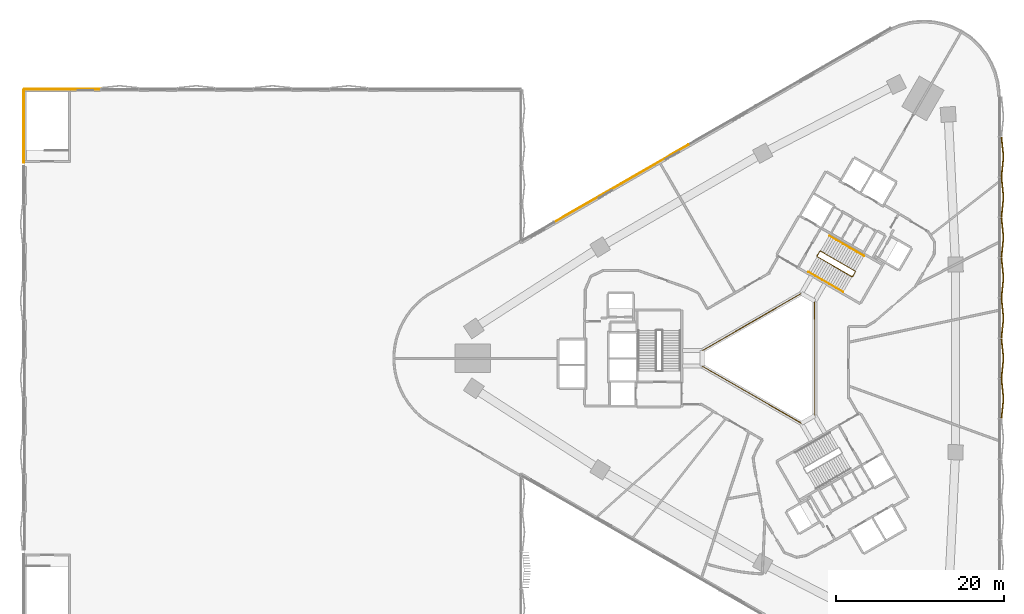
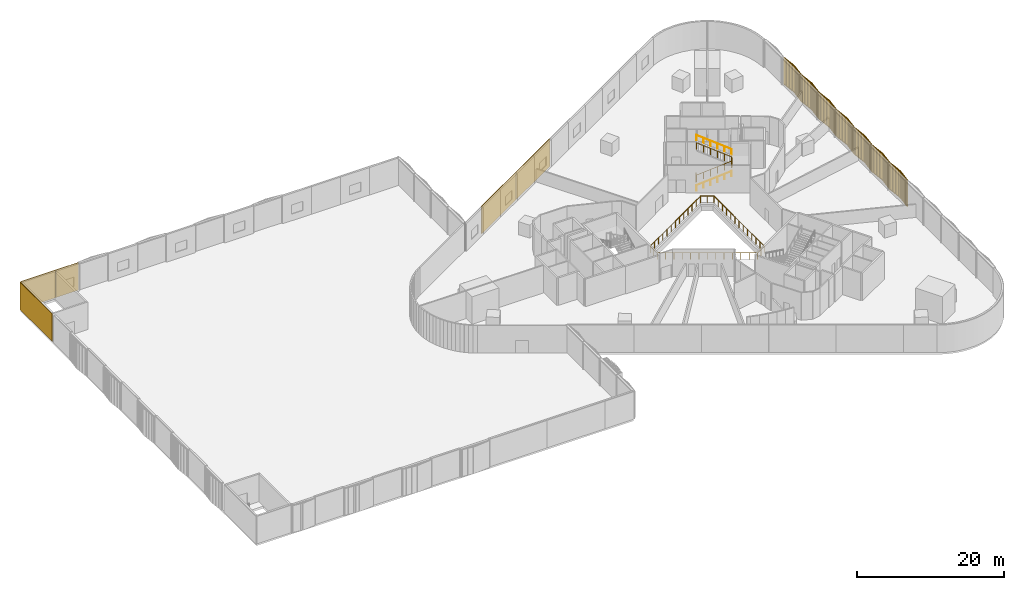
# One storey, part 22 of 24: 12 coverings, 4 railings.
"""IFC4 building model written with IfcOpenShell, lengths in metres."""

from ifc_helpers import new_model, si_unit, direction, frame, frame_2d, origin, origin_2d, place, context, subcontext, project, spatial, rectangle, circle, extrude, source, transform, mapped, material, layer, layer_set, type_object, element, save


model = new_model("IFC4")

# Units and contexts
model_context = context("Model", 3, precision=1e-05, world=origin(), true_north=direction((0.0, 1.0)))
body_context = subcontext(model_context, "Body", "Model", "MODEL_VIEW")
ifc_project = project(units=[si_unit("LENGTHUNIT", "METRE"), si_unit("AREAUNIT", "SQUARE_METRE"), si_unit("VOLUMEUNIT", "CUBIC_METRE"), si_unit("PLANEANGLEUNIT", "RADIAN"), si_unit("MASSUNIT", "GRAM", prefix="KILO")], contexts=[model_context])

# Site, building, storey
site_placement = place(None, origin())
site = spatial("IfcSite", under=ifc_project, at=site_placement, CompositionType="ELEMENT")
building_placement = place(site_placement, origin())
building = spatial("IfcBuilding", under=site, at=building_placement, Name="Tamra Quay Hotel Tower", CompositionType="ELEMENT")
storey_placement = place(building_placement, frame((0.0, 0.0, 19.5)))
storey = spatial("IfcBuildingStorey", under=building, at=storey_placement, Name="L03", CompositionType="ELEMENT", Elevation=19.5)

# Railing
ifc_material_1 = material(Name="Guard atrium edge 1100")
railing_type_1 = type_object("IfcRailingType", Name="Guard atrium edge 1100", PredefinedType="GUARDRAIL", material=ifc_material_1)
railing_1_placement = place(storey_placement, frame((3.409912109375, 7.73095703125, 0.0)))
element("IfcRailing", 1, at=railing_1_placement, inside=storey, type_object=railing_type_1, Name="G-A", PredefinedType="GUARDRAIL", context=body_context, shape_type="SweptSolid", body=[
    extrude(circle(Radius=0.02392578125, at=origin_2d()), frame((0.0, 0.0, 1.076171875), z_axis=(0.864522091971, -0.502594819406, 0.0), x_axis=(0.502594819406, 0.864522091971, 0.0)), (0.0, 0.0, 1.0), 1.820556640625),
    extrude(circle(Radius=0.02392578125, at=origin_2d()), frame((1.573974609375, -0.9150390625, 1.076171875), z_axis=(0.000967828205, -0.999999531654, 0.0), x_axis=(0.999999531654, 0.000967828205, 0.0)), (0.0, 0.0, 1.0), 13.621826171875),
    extrude(circle(Radius=0.02392578125, at=origin_2d()), frame((1.587158203125, -14.536865234375, 1.076171875), z_axis=(-0.865052007415, -0.501682194688, 0.0), x_axis=(0.501682194688, -0.865052007415, 0.0)), (0.0, 0.0, 1.0), 1.832275390625),
    extrude(circle(Radius=0.02392578125, at=origin_2d()), frame((0.002197265625, -15.4560546875, 1.076171875), z_axis=(-0.866473474501, 0.499223114434, 0.0), x_axis=(-0.499223114434, -0.866473474501, 0.0)), (0.0, 0.0, 1.0), 13.617431640625),
    extrude(circle(Radius=0.02392578125, at=origin_2d()), frame((-11.796875, -8.657958984375, 1.076171875), z_axis=(-0.005428226658, 0.999985267069, 0.0), x_axis=(-0.999985267069, -0.005428226658, 0.0)), (0.0, 0.0, 1.0), 1.843994140625),
    extrude(circle(Radius=0.02392578125, at=origin_2d()), frame((-11.806884765625, -6.81396484375, 1.076171875), z_axis=(0.86589546234, 0.500224997676, 0.0), x_axis=(-0.500224997676, 0.86589546234, 0.0)), (0.0, 0.0, 1.0), 13.610107421875),
    extrude(circle(Radius=0.02392578125, at=origin_2d()), frame((-0.02197265625, -0.005859375, 1.076171875), z_axis=(0.966234939601, 0.25766265056, 0.0), x_axis=(-0.25766265056, 0.966234939601, 0.0)), (0.0, 0.0, 1.0), 0.022705078125),
    extrude(circle(Radius=0.02099609375, at=origin_2d()), origin(), (0.0, 0.0, 1.0), 1.052001953125),
    extrude(circle(Radius=0.02099609375, at=origin_2d()), frame((0.787109375, -0.45751953125, 0.0)), (0.0, 0.0, 1.0), 1.052001953125),
    extrude(circle(Radius=0.02099609375, at=origin_2d()), frame((1.573974609375, -0.9150390625, 0.0)), (0.0, 0.0, 1.0), 1.052001953125),
    extrude(circle(Radius=0.02099609375, at=origin_2d()), frame((1.5751953125, -2.05029296875, 0.0)), (0.0, 0.0, 1.0), 1.052001953125),
    extrude(circle(Radius=0.02099609375, at=origin_2d()), frame((1.576171875, -3.185302734375, 0.0)), (0.0, 0.0, 1.0), 1.052001953125),
    extrude(circle(Radius=0.02099609375, at=origin_2d()), frame((1.5771484375, -4.320556640625, 0.0)), (0.0, 0.0, 1.0), 1.052001953125),
    extrude(circle(Radius=0.02099609375, at=origin_2d()), frame((1.578369140625, -5.45556640625, 0.0)), (0.0, 0.0, 1.0), 1.052001953125),
    extrude(circle(Radius=0.02099609375, at=origin_2d()), frame((1.57958984375, -6.5908203125, 0.0)), (0.0, 0.0, 1.0), 1.052001953125),
    extrude(circle(Radius=0.02099609375, at=origin_2d()), frame((1.58056640625, -7.72607421875, 0.0)), (0.0, 0.0, 1.0), 1.052001953125),
    extrude(circle(Radius=0.02099609375, at=origin_2d()), frame((1.58154296875, -8.861083984375, 0.0)), (0.0, 0.0, 1.0), 1.052001953125),
    extrude(circle(Radius=0.02099609375, at=origin_2d()), frame((1.582763671875, -9.996337890625, 0.0)), (0.0, 0.0, 1.0), 1.052001953125),
    extrude(circle(Radius=0.02099609375, at=origin_2d()), frame((1.583984375, -11.13134765625, 0.0)), (0.0, 0.0, 1.0), 1.052001953125),
    extrude(circle(Radius=0.02099609375, at=origin_2d()), frame((1.5849609375, -12.2666015625, 0.0)), (0.0, 0.0, 1.0), 1.052001953125),
    extrude(circle(Radius=0.02099609375, at=origin_2d()), frame((1.5859375, -13.401611328125, 0.0)), (0.0, 0.0, 1.0), 1.052001953125),
    extrude(circle(Radius=0.02099609375, at=origin_2d()), frame((1.587158203125, -14.536865234375, 0.0)), (0.0, 0.0, 1.0), 1.052001953125),
    extrude(circle(Radius=0.02099609375, at=origin_2d()), frame((0.794677734375, -14.99658203125, 0.0)), (0.0, 0.0, 1.0), 1.052001953125),
    extrude(circle(Radius=0.02099609375, at=origin_2d()), frame((0.002197265625, -15.4560546875, 0.0)), (0.0, 0.0, 1.0), 1.052001953125),
    extrude(circle(Radius=0.02099609375, at=origin_2d()), frame((-0.98095703125, -14.8896484375, 0.0)), (0.0, 0.0, 1.0), 1.052001953125),
    extrude(circle(Radius=0.02099609375, at=origin_2d()), frame((-1.96435546875, -14.322998046875, 0.0)), (0.0, 0.0, 1.0), 1.052001953125),
    extrude(circle(Radius=0.02099609375, at=origin_2d()), frame((-2.947509765625, -13.756591796875, 0.0)), (0.0, 0.0, 1.0), 1.052001953125),
    extrude(circle(Radius=0.02099609375, at=origin_2d()), frame((-3.930908203125, -13.18994140625, 0.0)), (0.0, 0.0, 1.0), 1.052001953125),
    extrude(circle(Radius=0.02099609375, at=origin_2d()), frame((-4.9140625, -12.62353515625, 0.0)), (0.0, 0.0, 1.0), 1.052001953125),
    extrude(circle(Radius=0.02099609375, at=origin_2d()), frame((-5.8974609375, -12.05712890625, 0.0)), (0.0, 0.0, 1.0), 1.052001953125),
    extrude(circle(Radius=0.02099609375, at=origin_2d()), frame((-6.880615234375, -11.490478515625, 0.0)), (0.0, 0.0, 1.0), 1.052001953125),
    extrude(circle(Radius=0.02099609375, at=origin_2d()), frame((-7.86376953125, -10.924072265625, 0.0)), (0.0, 0.0, 1.0), 1.052001953125),
    extrude(circle(Radius=0.02099609375, at=origin_2d()), frame((-8.84716796875, -10.357421875, 0.0)), (0.0, 0.0, 1.0), 1.052001953125),
    extrude(circle(Radius=0.02099609375, at=origin_2d()), frame((-9.830322265625, -9.791015625, 0.0)), (0.0, 0.0, 1.0), 1.052001953125),
    extrude(circle(Radius=0.02099609375, at=origin_2d()), frame((-10.813720703125, -9.224365234375, 0.0)), (0.0, 0.0, 1.0), 1.052001953125),
    extrude(circle(Radius=0.02099609375, at=origin_2d()), frame((-11.796875, -8.657958984375, 0.0)), (0.0, 0.0, 1.0), 1.052001953125),
    extrude(circle(Radius=0.02099609375, at=origin_2d()), frame((-11.8017578125, -7.73583984375, 0.0)), (0.0, 0.0, 1.0), 1.052001953125),
    extrude(circle(Radius=0.02099609375, at=origin_2d()), frame((-11.806884765625, -6.81396484375, 0.0)), (0.0, 0.0, 1.0), 1.052001953125),
    extrude(circle(Radius=0.02099609375, at=origin_2d()), frame((-10.82470703125, -6.24658203125, 0.0)), (0.0, 0.0, 1.0), 1.052001953125),
    extrude(circle(Radius=0.02099609375, at=origin_2d()), frame((-9.8427734375, -5.67919921875, 0.0)), (0.0, 0.0, 1.0), 1.052001953125),
    extrude(circle(Radius=0.02099609375, at=origin_2d()), frame((-8.860595703125, -5.11181640625, 0.0)), (0.0, 0.0, 1.0), 1.052001953125),
    extrude(circle(Radius=0.02099609375, at=origin_2d()), frame((-7.878662109375, -4.544677734375, 0.0)), (0.0, 0.0, 1.0), 1.052001953125),
    extrude(circle(Radius=0.02099609375, at=origin_2d()), frame((-6.896484375, -3.977294921875, 0.0)), (0.0, 0.0, 1.0), 1.052001953125),
    extrude(circle(Radius=0.02099609375, at=origin_2d()), frame((-5.91455078125, -3.409912109375, 0.0)), (0.0, 0.0, 1.0), 1.052001953125),
    extrude(circle(Radius=0.02099609375, at=origin_2d()), frame((-4.932373046875, -2.842529296875, 0.0)), (0.0, 0.0, 1.0), 1.052001953125),
    extrude(circle(Radius=0.02099609375, at=origin_2d()), frame((-3.9501953125, -2.275146484375, 0.0)), (0.0, 0.0, 1.0), 1.052001953125),
    extrude(circle(Radius=0.02099609375, at=origin_2d()), frame((-2.96826171875, -1.7080078125, 0.0)), (0.0, 0.0, 1.0), 1.052001953125),
    extrude(circle(Radius=0.02099609375, at=origin_2d()), frame((-1.986083984375, -1.140625, 0.0)), (0.0, 0.0, 1.0), 1.052001953125),
    extrude(circle(Radius=0.02099609375, at=origin_2d()), frame((-1.004150390625, -0.5732421875, 0.0)), (0.0, 0.0, 1.0), 1.052001953125),
    extrude(circle(Radius=0.02099609375, at=origin_2d()), frame((-0.02197265625, -0.005859375, 0.0)), (0.0, 0.0, 1.0), 1.052001953125),
])

# Coverings
ifc_material_2 = material(Name="Precast concrete M60 terracotta-coloured pierced relief", Category="masonry")
ifc_layer = layer(ifc_material_2, 0.10009765625)
ifc_layer_set = layer_set([ifc_layer], Name="PIERCED RELIEF PANEL 100")
covering_type_1 = type_object("IfcCoveringType", Name="PIERCED RELIEF PANEL 100", PredefinedType="CLADDING", material=ifc_layer_set)
for number, where, z_axis, x_axis, name in (
    (2, (-14.017822265625, 23.13330078125, 0.0), (0.0, 0.0, 1.0), (-0.866214936261, -0.499671576337, 0.0), "Relief panel L03.NW.06"),
    (3, (-22.021484375, 18.5166015625, 0.0), (0.0, 0.0, 1.0), (-0.866214936261, -0.499671576337, 0.0), "Relief panel L03.NW.08"),
):
    element("IfcCovering", number, at=place(storey_placement, frame(where, z_axis=z_axis, x_axis=x_axis)), inside=storey, type_object=covering_type_1, Name=name, PredefinedType="CLADDING", context=body_context, shape_type="SweptSolid", body=[
        extrude(rectangle(XDim=9.2197265625, YDim=0.10009765625, at=origin_2d()), origin(), (0.0, 0.0, 1.0), 4.550048828125),
    ])
covering_1_placement = place(storey_placement, frame((-81.803955078125, 32.050048828125, 0.0), z_axis=(0.0, 0.0, 1.0), x_axis=(-1.0, 0.0, 0.0)))
element("IfcCovering", 4, at=covering_1_placement, inside=storey, type_object=covering_type_1, Name="Relief panel L03.NW.22", PredefinedType="CLADDING", context=body_context, shape_type="SweptSolid", body=[
    extrude(rectangle(XDim=3.572265625, YDim=0.10009765625, at=origin_2d()), origin(), (0.0, 0.0, 1.0), 4.550048828125),
])
covering_2_placement = place(storey_placement, frame((-86.35009765625, 32.050048828125, 0.0), z_axis=(0.0, 0.0, 1.0), x_axis=(-1.0, 0.0, 0.0)))
element("IfcCovering", 5, at=covering_2_placement, inside=storey, type_object=covering_type_1, Name="Relief panel L03.PS1.1", PredefinedType="CLADDING", context=body_context, shape_type="SweptSolid", body=[
    extrude(rectangle(XDim=5.47998046875, YDim=0.10009765625, at=origin_2d()), origin(), (0.0, 0.0, 1.0), 4.550048828125),
])
covering_3_placement = place(storey_placement, frame((-89.14990234375, 27.64990234375, 0.0), z_axis=(0.0, 0.0, 1.0), x_axis=(0.0, -1.0, 0.0)))
element("IfcCovering", 6, at=covering_3_placement, inside=storey, type_object=covering_type_1, Name="Relief panel L03.PS1.2", PredefinedType="CLADDING", context=body_context, shape_type="SweptSolid", body=[
    extrude(rectangle(XDim=8.679931640625, YDim=0.10009765625, at=origin_2d()), origin(), (0.0, 0.0, 1.0), 4.550048828125),
])

# Railings
ifc_material_3 = material(Name="Stair guard 1100")
railing_type_2 = type_object("IfcRailingType", Name="Stair guard 1100", PredefinedType="GUARDRAIL", material=ifc_material_3)
railing_2_placement = place(storey_placement, frame((5.595458984375, 12.751953125, 0.0)))
element("IfcRailing", 7, at=railing_2_placement, inside=storey, type_object=railing_type_2, Name="GR", PredefinedType="GUARDRAIL", context=body_context, shape_type="SweptSolid", body=[
    extrude(circle(Radius=0.02392578125, at=origin_2d()), frame((0.0, 0.0, 1.076171875), z_axis=(-0.499765215335, -0.866160914346, 0.0), x_axis=(0.866160914346, -0.499765215335, 0.0)), (0.0, 0.0, 1.0), 0.658935546875),
    extrude(circle(Radius=0.02392578125, at=origin_2d()), frame((-0.329345703125, -0.57080078125, 1.076171875), z_axis=(0.112320010996, -0.417830440903, 0.901555288257), x_axis=(0.965715946433, 0.259601060869, 0.0)), (0.0, 0.0, 1.0), 0.1630859375),
    extrude(circle(Radius=0.02392578125, at=origin_2d()), frame((-0.31103515625, -0.638916015625, 1.22314453125), z_axis=(0.777106586887, -0.448679454232, 0.441352580107), x_axis=(0.500014005679, 0.866017317451, 0.0)), (0.0, 0.0, 1.0), 5.331298828125),
    extrude(circle(Radius=0.02392578125, at=origin_2d()), frame((3.83203125, -3.031005859375, 3.576171875), z_axis=(0.965715946433, 0.259601060869, 0.0), x_axis=(-0.259601060869, 0.965715946433, 0.0)), (0.0, 0.0, 1.0), 0.070556640625),
    extrude(circle(Radius=0.02392578125, at=origin_2d()), frame((3.900146484375, -3.0126953125, 3.576171875), z_axis=(0.500043078269, 0.866000531106, 0.0), x_axis=(-0.866000531106, 0.500043078269, 0.0)), (0.0, 0.0, 1.0), 0.6591796875),
    extrude(circle(Radius=0.02392578125, at=origin_2d()), frame((4.229736328125, -2.44189453125, 3.576171875), z_axis=(-0.112320010996, 0.417830440903, 0.901555288257), x_axis=(-0.965715946433, -0.259601060869, 0.0)), (0.0, 0.0, 1.0), 0.1630859375),
    extrude(circle(Radius=0.02392578125, at=origin_2d()), frame((4.21142578125, -2.373779296875, 3.72314453125), z_axis=(-0.777106586887, 0.448679454232, 0.441352580107), x_axis=(-0.500014005679, -0.866017317451, 0.0)), (0.0, 0.0, 1.0), 5.331298828125),
    extrude(circle(Radius=0.02099609375, at=origin_2d()), origin(), (0.0, 0.0, 1.0), 1.052001953125),
    extrude(circle(Radius=0.02099609375, at=origin_2d()), frame((-0.329345703125, -0.57080078125, 0.0)), (0.0, 0.0, 1.0), 1.052001953125),
    extrude(circle(Radius=0.02099609375, at=origin_2d()), frame((-0.31103515625, -0.638916015625, 0.14697265625)), (0.0, 0.0, 1.0), 1.052001953125),
    extrude(circle(Radius=0.02099609375, at=origin_2d()), frame((0.517578125, -1.117431640625, 0.61767578125)), (0.0, 0.0, 1.0), 1.052001953125),
    extrude(circle(Radius=0.02099609375, at=origin_2d()), frame((1.34619140625, -1.595703125, 1.088134765625)), (0.0, 0.0, 1.0), 1.052001953125),
    extrude(circle(Radius=0.02099609375, at=origin_2d()), frame((2.1748046875, -2.07421875, 1.558837890625)), (0.0, 0.0, 1.0), 1.052001953125),
    extrude(circle(Radius=0.02099609375, at=origin_2d()), frame((3.00341796875, -2.552490234375, 2.029296875)), (0.0, 0.0, 1.0), 1.052001953125),
    extrude(circle(Radius=0.02099609375, at=origin_2d()), frame((3.83203125, -3.031005859375, 2.5)), (0.0, 0.0, 1.0), 1.052001953125),
    extrude(circle(Radius=0.02099609375, at=origin_2d()), frame((3.900146484375, -3.0126953125, 2.5)), (0.0, 0.0, 1.0), 1.052001953125),
    extrude(circle(Radius=0.02099609375, at=origin_2d()), frame((4.229736328125, -2.44189453125, 2.5)), (0.0, 0.0, 1.0), 1.052001953125),
    extrude(circle(Radius=0.02099609375, at=origin_2d()), frame((4.21142578125, -2.373779296875, 2.64697265625)), (0.0, 0.0, 1.0), 1.052001953125),
    extrude(circle(Radius=0.02099609375, at=origin_2d()), frame((3.3828125, -1.895263671875, 3.11767578125)), (0.0, 0.0, 1.0), 1.052001953125),
    extrude(circle(Radius=0.02099609375, at=origin_2d()), frame((2.55419921875, -1.4169921875, 3.588134765625)), (0.0, 0.0, 1.0), 1.052001953125),
    extrude(circle(Radius=0.02099609375, at=origin_2d()), frame((1.7255859375, -0.9384765625, 4.058837890625)), (0.0, 0.0, 1.0), 1.052001953125),
    extrude(circle(Radius=0.02099609375, at=origin_2d()), frame((0.89697265625, -0.460205078125, 4.529296875)), (0.0, 0.0, 1.0), 1.052001953125),
    extrude(circle(Radius=0.02099609375, at=origin_2d()), frame((0.068359375, 0.018310546875, 5.0)), (0.0, 0.0, 1.0), 1.052001953125),
])
ifc_material_4 = material(Name="Stair handrail 900")
railing_type_3 = type_object("IfcRailingType", Name="Stair handrail 900", PredefinedType="HANDRAIL", material=ifc_material_4)
railing_3_placement = place(storey_placement, frame((4.234375, 10.294189453125, 0.14697265625)))
element("IfcRailing", 8, at=railing_3_placement, inside=storey, type_object=railing_type_3, Name="HR", PredefinedType="HANDRAIL", context=body_context, shape_type="SweptSolid", body=[
    extrude(circle(Radius=0.02392578125, at=origin_2d()), frame((0.0, 0.0, 0.8759765625), z_axis=(0.777122553277, -0.448642878872, 0.441361648113), x_axis=(0.49997573074, 0.866039415195, 0.0)), (0.0, 0.0, 1.0), 5.331298828125),
    extrude(circle(Radius=0.02099609375, at=origin_2d()), origin(), (0.0, 0.0, 1.0), 0.851806640625),
    extrude(circle(Radius=0.02099609375, at=origin_2d()), frame((0.82861328125, -0.478271484375, 0.470703125)), (0.0, 0.0, 1.0), 0.851806640625),
    extrude(circle(Radius=0.02099609375, at=origin_2d()), frame((1.6572265625, -0.956787109375, 0.941162109375)), (0.0, 0.0, 1.0), 0.851806640625),
    extrude(circle(Radius=0.02099609375, at=origin_2d()), frame((2.48583984375, -1.43505859375, 1.411865234375)), (0.0, 0.0, 1.0), 0.851806640625),
    extrude(circle(Radius=0.02099609375, at=origin_2d()), frame((3.314453125, -1.91357421875, 1.88232421875)), (0.0, 0.0, 1.0), 0.851806640625),
    extrude(circle(Radius=0.02099609375, at=origin_2d()), frame((4.14306640625, -2.391845703125, 2.35302734375)), (0.0, 0.0, 1.0), 0.851806640625),
])
railing_4_placement = place(storey_placement, frame((10.85693359375, 12.197021484375, 2.64697265625)))
element("IfcRailing", 9, at=railing_4_placement, inside=storey, type_object=railing_type_3, Name="HR", PredefinedType="HANDRAIL", context=body_context, shape_type="SweptSolid", body=[
    extrude(circle(Radius=0.02392578125, at=origin_2d()), frame((0.0, 0.0, 0.8759765625), z_axis=(-0.777122553277, 0.448642878872, 0.441361648113), x_axis=(-0.49997573074, -0.866039415195, 0.0)), (0.0, 0.0, 1.0), 5.331298828125),
    extrude(circle(Radius=0.02099609375, at=origin_2d()), origin(), (0.0, 0.0, 1.0), 0.851806640625),
    extrude(circle(Radius=0.02099609375, at=origin_2d()), frame((-0.82861328125, 0.478271484375, 0.470703125)), (0.0, 0.0, 1.0), 0.851806640625),
    extrude(circle(Radius=0.02099609375, at=origin_2d()), frame((-1.6572265625, 0.956787109375, 0.941162109375)), (0.0, 0.0, 1.0), 0.851806640625),
    extrude(circle(Radius=0.02099609375, at=origin_2d()), frame((-2.48583984375, 1.43505859375, 1.411865234375)), (0.0, 0.0, 1.0), 0.851806640625),
    extrude(circle(Radius=0.02099609375, at=origin_2d()), frame((-3.314453125, 1.91357421875, 1.88232421875)), (0.0, 0.0, 1.0), 0.851806640625),
    extrude(circle(Radius=0.02099609375, at=origin_2d()), frame((-4.14306640625, 2.391845703125, 2.35302734375)), (0.0, 0.0, 1.0), 0.851806640625),
])

# Coverings
ifc_material_5 = material(Name="Terracotta baguette extruded", Category="masonry")
covering_type_2 = type_object("IfcCoveringType", Name="BAGUETTE SCREEN PODIUM-SHALLOW H4550", PredefinedType="USERDEFINED", material=ifc_material_5)
shared_shape = source(origin(), body_context, "Body", "SweptSolid", [
    extrude(rectangle(XDim=2.365478515625, YDim=0.06005859375, at=frame_2d((1.1826171875, 0.030029296875))), frame((-2.35888671875, -0.0576171875, -0.1201171875), z_axis=(0.0, 0.0, 1.0), x_axis=(0.994521895368, -0.104528463268, 0.0)), (0.0, 0.0, 1.0), 0.1201171875),
    extrude(rectangle(XDim=2.365478515625, YDim=0.06005859375, at=frame_2d((1.1826171875, 0.030029296875))), frame((-2.35888671875, -0.0576171875, -4.550048828125), z_axis=(0.0, 0.0, 1.0), x_axis=(0.994521895368, -0.104528463268, 0.0)), (0.0, 0.0, 1.0), 0.1201171875),
    extrude(rectangle(XDim=0.094970703125, YDim=0.10009765625, at=frame_2d((0.04736328125, 0.050048828125))), frame((-2.35107421875, -0.133056640625, -4.489990234375)), (0.0, 0.0, 1.0), 4.429931640625),
    extrude(rectangle(XDim=0.094970703125, YDim=0.10009765625, at=frame_2d((0.04736328125, 0.050048828125))), frame((-2.2529296875, -0.1435546875, -4.489990234375)), (0.0, 0.0, 1.0), 4.429931640625),
    extrude(rectangle(XDim=0.094970703125, YDim=0.10009765625, at=frame_2d((0.04736328125, 0.050048828125))), frame((-2.155029296875, -0.15380859375, -4.489990234375)), (0.0, 0.0, 1.0), 4.429931640625),
    extrude(rectangle(XDim=0.094970703125, YDim=0.10009765625, at=frame_2d((0.04736328125, 0.050048828125))), frame((-2.056884765625, -0.1640625, -4.489990234375)), (0.0, 0.0, 1.0), 4.429931640625),
    extrude(rectangle(XDim=0.094970703125, YDim=0.10009765625, at=frame_2d((0.04736328125, 0.050048828125))), frame((-1.958984375, -0.17431640625, -4.489990234375)), (0.0, 0.0, 1.0), 4.429931640625),
    extrude(rectangle(XDim=0.094970703125, YDim=0.10009765625, at=frame_2d((0.04736328125, 0.050048828125))), frame((-1.86083984375, -0.1845703125, -4.489990234375)), (0.0, 0.0, 1.0), 4.429931640625),
    extrude(rectangle(XDim=0.094970703125, YDim=0.10009765625, at=frame_2d((0.04736328125, 0.050048828125))), frame((-1.762939453125, -0.195068359375, -4.489990234375)), (0.0, 0.0, 1.0), 4.429931640625),
    extrude(rectangle(XDim=0.094970703125, YDim=0.10009765625, at=frame_2d((0.04736328125, 0.050048828125))), frame((-1.664794921875, -0.205322265625, -4.489990234375)), (0.0, 0.0, 1.0), 4.429931640625),
    extrude(rectangle(XDim=0.094970703125, YDim=0.10009765625, at=frame_2d((0.04736328125, 0.050048828125))), frame((-1.56689453125, -0.215576171875, -4.489990234375)), (0.0, 0.0, 1.0), 4.429931640625),
    extrude(rectangle(XDim=0.094970703125, YDim=0.10009765625, at=frame_2d((0.04736328125, 0.050048828125))), frame((-1.46875, -0.225830078125, -4.489990234375)), (0.0, 0.0, 1.0), 4.429931640625),
    extrude(rectangle(XDim=0.094970703125, YDim=0.10009765625, at=frame_2d((0.04736328125, 0.050048828125))), frame((-1.370849609375, -0.236083984375, -4.489990234375)), (0.0, 0.0, 1.0), 4.429931640625),
    extrude(rectangle(XDim=0.094970703125, YDim=0.10009765625, at=frame_2d((0.04736328125, 0.050048828125))), frame((-1.272705078125, -0.24658203125, -4.489990234375)), (0.0, 0.0, 1.0), 4.429931640625),
    extrude(rectangle(XDim=0.094970703125, YDim=0.10009765625, at=frame_2d((0.04736328125, 0.050048828125))), frame((-1.1748046875, -0.2568359375, -4.489990234375)), (0.0, 0.0, 1.0), 4.429931640625),
    extrude(rectangle(XDim=0.094970703125, YDim=0.10009765625, at=frame_2d((0.04736328125, 0.050048828125))), frame((-1.07666015625, -0.26708984375, -4.489990234375)), (0.0, 0.0, 1.0), 4.429931640625),
    extrude(rectangle(XDim=0.094970703125, YDim=0.10009765625, at=frame_2d((0.04736328125, 0.050048828125))), frame((-0.978759765625, -0.27734375, -4.489990234375)), (0.0, 0.0, 1.0), 4.429931640625),
    extrude(rectangle(XDim=0.094970703125, YDim=0.10009765625, at=frame_2d((0.04736328125, 0.050048828125))), frame((-0.880615234375, -0.28759765625, -4.489990234375)), (0.0, 0.0, 1.0), 4.429931640625),
    extrude(rectangle(XDim=0.094970703125, YDim=0.10009765625, at=frame_2d((0.04736328125, 0.050048828125))), frame((-0.78271484375, -0.298095703125, -4.489990234375)), (0.0, 0.0, 1.0), 4.429931640625),
    extrude(rectangle(XDim=0.094970703125, YDim=0.10009765625, at=frame_2d((0.04736328125, 0.050048828125))), frame((-0.6845703125, -0.308349609375, -4.489990234375)), (0.0, 0.0, 1.0), 4.429931640625),
    extrude(rectangle(XDim=0.094970703125, YDim=0.10009765625, at=frame_2d((0.04736328125, 0.050048828125))), frame((-0.586669921875, -0.318603515625, -4.489990234375)), (0.0, 0.0, 1.0), 4.429931640625),
    extrude(rectangle(XDim=0.094970703125, YDim=0.10009765625, at=frame_2d((0.04736328125, 0.050048828125))), frame((-0.488525390625, -0.328857421875, -4.489990234375)), (0.0, 0.0, 1.0), 4.429931640625),
    extrude(rectangle(XDim=0.094970703125, YDim=0.10009765625, at=frame_2d((0.04736328125, 0.050048828125))), frame((-0.390625, -0.339111328125, -4.489990234375)), (0.0, 0.0, 1.0), 4.429931640625),
    extrude(rectangle(XDim=0.094970703125, YDim=0.10009765625, at=frame_2d((0.04736328125, 0.050048828125))), frame((-0.29248046875, -0.349609375, -4.489990234375)), (0.0, 0.0, 1.0), 4.429931640625),
    extrude(rectangle(XDim=0.094970703125, YDim=0.10009765625, at=frame_2d((0.04736328125, 0.050048828125))), frame((-0.194580078125, -0.35986328125, -4.489990234375)), (0.0, 0.0, 1.0), 4.429931640625),
    extrude(rectangle(XDim=0.094970703125, YDim=0.10009765625, at=frame_2d((0.04736328125, 0.050048828125))), frame((-0.096435546875, -0.3701171875, -4.489990234375)), (0.0, 0.0, 1.0), 4.429931640625),
    extrude(rectangle(XDim=2.365478515625, YDim=0.06005859375, at=frame_2d((1.1826171875, 0.030029296875))), frame((0.00634765625, -0.304931640625, -0.1201171875), z_axis=(0.0, 0.0, 1.0), x_axis=(0.994521895368, 0.104528463268, 0.0)), (0.0, 0.0, 1.0), 0.1201171875),
    extrude(rectangle(XDim=2.365478515625, YDim=0.06005859375, at=frame_2d((1.1826171875, 0.030029296875))), frame((0.00634765625, -0.304931640625, -4.550048828125), z_axis=(0.0, 0.0, 1.0), x_axis=(0.994521895368, 0.104528463268, 0.0)), (0.0, 0.0, 1.0), 0.1201171875),
    extrude(rectangle(XDim=0.094970703125, YDim=0.10009765625, at=frame_2d((0.04736328125, 0.050048828125))), frame((0.00146484375, -0.3701171875, -4.489990234375)), (0.0, 0.0, 1.0), 4.429931640625),
    extrude(rectangle(XDim=0.094970703125, YDim=0.10009765625, at=frame_2d((0.04736328125, 0.050048828125))), frame((0.099609375, -0.35986328125, -4.489990234375)), (0.0, 0.0, 1.0), 4.429931640625),
    extrude(rectangle(XDim=0.094970703125, YDim=0.10009765625, at=frame_2d((0.04736328125, 0.050048828125))), frame((0.197509765625, -0.349609375, -4.489990234375)), (0.0, 0.0, 1.0), 4.429931640625),
    extrude(rectangle(XDim=0.094970703125, YDim=0.10009765625, at=frame_2d((0.04736328125, 0.050048828125))), frame((0.295654296875, -0.339111328125, -4.489990234375)), (0.0, 0.0, 1.0), 4.429931640625),
    extrude(rectangle(XDim=0.094970703125, YDim=0.10009765625, at=frame_2d((0.04736328125, 0.050048828125))), frame((0.3935546875, -0.328857421875, -4.489990234375)), (0.0, 0.0, 1.0), 4.429931640625),
    extrude(rectangle(XDim=0.094970703125, YDim=0.10009765625, at=frame_2d((0.04736328125, 0.050048828125))), frame((0.49169921875, -0.318603515625, -4.489990234375)), (0.0, 0.0, 1.0), 4.429931640625),
    extrude(rectangle(XDim=0.094970703125, YDim=0.10009765625, at=frame_2d((0.04736328125, 0.050048828125))), frame((0.589599609375, -0.308349609375, -4.489990234375)), (0.0, 0.0, 1.0), 4.429931640625),
    extrude(rectangle(XDim=0.094970703125, YDim=0.10009765625, at=frame_2d((0.04736328125, 0.050048828125))), frame((0.687744140625, -0.298095703125, -4.489990234375)), (0.0, 0.0, 1.0), 4.429931640625),
    extrude(rectangle(XDim=0.094970703125, YDim=0.10009765625, at=frame_2d((0.04736328125, 0.050048828125))), frame((0.78564453125, -0.28759765625, -4.489990234375)), (0.0, 0.0, 1.0), 4.429931640625),
    extrude(rectangle(XDim=0.094970703125, YDim=0.10009765625, at=frame_2d((0.04736328125, 0.050048828125))), frame((0.8837890625, -0.27734375, -4.489990234375)), (0.0, 0.0, 1.0), 4.429931640625),
    extrude(rectangle(XDim=0.094970703125, YDim=0.10009765625, at=frame_2d((0.04736328125, 0.050048828125))), frame((0.981689453125, -0.26708984375, -4.489990234375)), (0.0, 0.0, 1.0), 4.429931640625),
    extrude(rectangle(XDim=0.094970703125, YDim=0.10009765625, at=frame_2d((0.04736328125, 0.050048828125))), frame((1.079833984375, -0.2568359375, -4.489990234375)), (0.0, 0.0, 1.0), 4.429931640625),
    extrude(rectangle(XDim=0.094970703125, YDim=0.10009765625, at=frame_2d((0.04736328125, 0.050048828125))), frame((1.177734375, -0.24658203125, -4.489990234375)), (0.0, 0.0, 1.0), 4.429931640625),
    extrude(rectangle(XDim=0.094970703125, YDim=0.10009765625, at=frame_2d((0.04736328125, 0.050048828125))), frame((1.27587890625, -0.236083984375, -4.489990234375)), (0.0, 0.0, 1.0), 4.429931640625),
    extrude(rectangle(XDim=0.094970703125, YDim=0.10009765625, at=frame_2d((0.04736328125, 0.050048828125))), frame((1.373779296875, -0.225830078125, -4.489990234375)), (0.0, 0.0, 1.0), 4.429931640625),
    extrude(rectangle(XDim=0.094970703125, YDim=0.10009765625, at=frame_2d((0.04736328125, 0.050048828125))), frame((1.471923828125, -0.215576171875, -4.489990234375)), (0.0, 0.0, 1.0), 4.429931640625),
    extrude(rectangle(XDim=0.094970703125, YDim=0.10009765625, at=frame_2d((0.04736328125, 0.050048828125))), frame((1.56982421875, -0.205322265625, -4.489990234375)), (0.0, 0.0, 1.0), 4.429931640625),
    extrude(rectangle(XDim=0.094970703125, YDim=0.10009765625, at=frame_2d((0.04736328125, 0.050048828125))), frame((1.66796875, -0.195068359375, -4.489990234375)), (0.0, 0.0, 1.0), 4.429931640625),
    extrude(rectangle(XDim=0.094970703125, YDim=0.10009765625, at=frame_2d((0.04736328125, 0.050048828125))), frame((1.765869140625, -0.1845703125, -4.489990234375)), (0.0, 0.0, 1.0), 4.429931640625),
    extrude(rectangle(XDim=0.094970703125, YDim=0.10009765625, at=frame_2d((0.04736328125, 0.050048828125))), frame((1.864013671875, -0.17431640625, -4.489990234375)), (0.0, 0.0, 1.0), 4.429931640625),
    extrude(rectangle(XDim=0.094970703125, YDim=0.10009765625, at=frame_2d((0.04736328125, 0.050048828125))), frame((1.9619140625, -0.1640625, -4.489990234375)), (0.0, 0.0, 1.0), 4.429931640625),
    extrude(rectangle(XDim=0.094970703125, YDim=0.10009765625, at=frame_2d((0.04736328125, 0.050048828125))), frame((2.06005859375, -0.15380859375, -4.489990234375)), (0.0, 0.0, 1.0), 4.429931640625),
    extrude(rectangle(XDim=0.094970703125, YDim=0.10009765625, at=frame_2d((0.04736328125, 0.050048828125))), frame((2.157958984375, -0.1435546875, -4.489990234375)), (0.0, 0.0, 1.0), 4.429931640625),
    extrude(rectangle(XDim=0.094970703125, YDim=0.10009765625, at=frame_2d((0.04736328125, 0.050048828125))), frame((2.256103515625, -0.133056640625, -4.489990234375)), (0.0, 0.0, 1.0), 4.429931640625),
])
for number, where, z_axis, x_axis, name in (
    (10, (27.14794921875, -4.79638671875, 4.550048828125), (0.0, 0.0, 1.0), (0.0, 1.0, 0.0), "Baguette screen L03.E.f09"),
    (11, (27.14794921875, 0.0, 4.550048828125), (0.0, 0.0, 1.0), (0.0, 1.0, 0.0), "Baguette screen L03.E.f10"),
    (12, (27.14794921875, 4.79638671875, 4.550048828125), (0.0, 0.0, 1.0), (0.0, 1.0, 0.0), "Baguette screen L03.E.f11"),
    (13, (27.14794921875, 9.593017578125, 4.550048828125), (0.0, 0.0, 1.0), (0.0, 1.0, 0.0), "Baguette screen L03.E.f12"),
    (14, (27.14794921875, 14.389404296875, 4.550048828125), (0.0, 0.0, 1.0), (0.0, 1.0, 0.0), "Baguette screen L03.E.f13"),
    (15, (27.14794921875, 19.185791015625, 4.550048828125), (0.0, 0.0, 1.0), (0.0, 1.0, 0.0), "Baguette screen L03.E.f14"),
    (16, (27.14794921875, 23.982177734375, 4.550048828125), (0.0, 0.0, 1.0), (0.0, 1.0, 0.0), "Baguette screen L03.E.f15"),
):
    element("IfcCovering", number, at=place(storey_placement, frame(where, z_axis=z_axis, x_axis=x_axis)), inside=storey, type_object=covering_type_2, Name=name, ObjectType="BAGUETTE SCREEN", PredefinedType="USERDEFINED", context=body_context, shape_type="MappedRepresentation", body=[
        mapped(shared_shape, transform((0.0, 0.0, 0.0), scale=1.0)),
    ])

save(model, "model.ifc")
